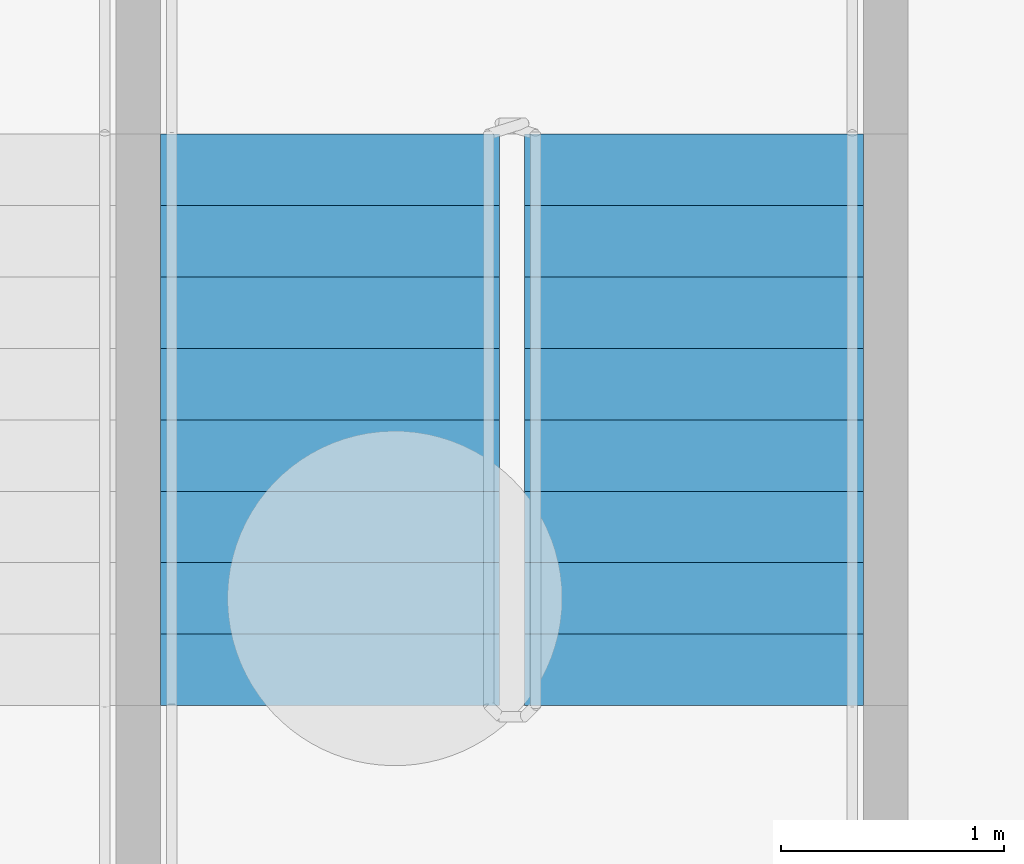
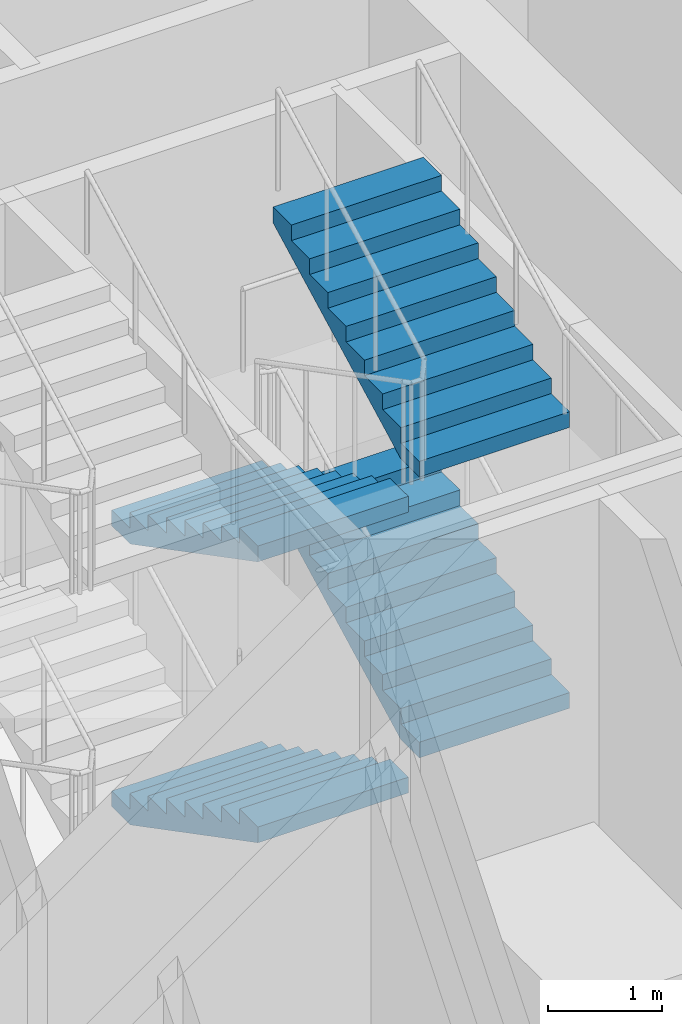
# One storey, part 17 of 26: 4 stair flights, 1 element without a shape of its own.
"""IFC4 building model written with IfcOpenShell, lengths in metres."""

from ifc_helpers import new_model, si_unit, direction, frame, origin, place, context, subcontext, project, spatial, polyline, outline, extrude, material, type_object, element, aggregate, save


model = new_model("IFC4")

# Units and contexts
model_context = context("Model", 3, precision=1e-05, world=origin(), true_north=direction((0.0, 1.0)))
body_context = subcontext(model_context, "Body", "Model", "MODEL_VIEW")
ifc_project = project(units=[si_unit("LENGTHUNIT", "METRE"), si_unit("AREAUNIT", "SQUARE_METRE"), si_unit("VOLUMEUNIT", "CUBIC_METRE"), si_unit("PLANEANGLEUNIT", "RADIAN"), si_unit("MASSUNIT", "GRAM", prefix="KILO")], contexts=[model_context])

# Site, building, storey
site_placement = place(None, origin())
site = spatial("IfcSite", under=ifc_project, at=site_placement, CompositionType="ELEMENT")
building_placement = place(site_placement, origin())
building = spatial("IfcBuilding", under=site, at=building_placement, Name="Tessera Arch", CompositionType="ELEMENT")
storey_placement = place(building_placement, frame((0.0, 0.0, -6.0)))
storey = spatial("IfcBuildingStorey", under=building, at=storey_placement, Name="B1", CompositionType="ELEMENT", Elevation=-6.0)

# Stair, stair flights
ifc_material_1 = material(Name="Concrete C40/50", Category="concrete")
stair_type = type_object("IfcStairType", Name="Dogleg stair 1520", PredefinedType="HALF_TURN_STAIR", material=ifc_material_1)
stair_placement = place(storey_placement, origin())
stair = element("IfcStair", 1, at=stair_placement, inside=storey, type_object=stair_type, Name="B1 S1c", PredefinedType="HALF_TURN_STAIR")
ifc_material_2 = material(Name="Concrete C40/50", Category="concrete")
stair_flight_type = type_object("IfcStairFlightType", Name="Stair flight 1520", PredefinedType="STRAIGHT", material=ifc_material_2)
stair_flight_1_placement = place(storey_placement, frame((44.159912109375, 43.580078125, 0.0), z_axis=(0.0, 0.0, 1.0), x_axis=(0.0, -1.0, 0.0)))
stair_flight_1 = element("IfcStairFlight", 2, at=stair_flight_1_placement, type_object=stair_flight_type, Name="S1c flight 1", NumberOfRisers=9, NumberOfTreads=8, PredefinedType="STRAIGHT", RiserHeight=0.166666667, TreadLength=0.32, context=body_context, shape_type="SweptSolid", body=[
    extrude(outline(polyline([(0.0, 0.0), (0.0, 0.166748046875), (0.320068359375, 0.166748046875), (0.320068359375, 0.333251953125), (0.639892578125, 0.333251953125), (0.639892578125, 0.5), (0.9599609375, 0.5), (0.9599609375, 0.666748046875), (1.280029296875, 0.666748046875), (1.280029296875, 0.833251953125), (1.60009765625, 0.833251953125), (1.60009765625, 1.0), (1.919921875, 1.0), (1.919921875, 1.166748046875), (2.239990234375, 1.166748046875), (2.239990234375, 1.333251953125), (2.56005859375, 1.333251953125), (2.56005859375, 1.5), (2.56005859375, 1.164306640625), (0.324462890625, 0.0), (0.0, 0.0)])), frame((0.0, 0.760009765625, 0.0), z_axis=(0.0, -1.0, 0.0), x_axis=(1.0, 0.0, 0.0)), (0.0, 0.0, 1.0), 1.52001953125),
])
stair_flight_2_placement = place(storey_placement, frame((45.7900390625, 41.02001953125, 1.5), z_axis=(0.0, 0.0, 1.0), x_axis=(0.0, 1.0, 0.0)))
stair_flight_2 = element("IfcStairFlight", 3, at=stair_flight_2_placement, type_object=stair_flight_type, Name="S1c flight 2", NumberOfRisers=9, NumberOfTreads=8, PredefinedType="STRAIGHT", RiserHeight=0.166666667, TreadLength=0.32, context=body_context, shape_type="SweptSolid", body=[
    extrude(outline(polyline([(0.0, 0.0), (0.0, 0.166748046875), (0.320068359375, 0.166748046875), (0.320068359375, 0.333251953125), (0.639892578125, 0.333251953125), (0.639892578125, 0.5), (0.9599609375, 0.5), (0.9599609375, 0.666748046875), (1.280029296875, 0.666748046875), (1.280029296875, 0.833251953125), (1.60009765625, 0.833251953125), (1.60009765625, 1.0), (1.919921875, 1.0), (1.919921875, 1.166748046875), (2.239990234375, 1.166748046875), (2.239990234375, 1.333251953125), (2.56005859375, 1.333251953125), (2.56005859375, 1.5), (2.56005859375, 1.164306640625), (0.324462890625, 0.0), (0.0, 0.0)])), frame((0.0, 0.760009765625, 0.0), z_axis=(0.0, -1.0, 0.0), x_axis=(1.0, 0.0, 0.0)), (0.0, 0.0, 1.0), 1.52001953125),
])
stair_flight_3_placement = place(storey_placement, frame((44.159912109375, 43.580078125, 3.0), z_axis=(0.0, 0.0, 1.0), x_axis=(0.0, -1.0, 0.0)))
stair_flight_3 = element("IfcStairFlight", 4, at=stair_flight_3_placement, type_object=stair_flight_type, Name="S1c flight 3", NumberOfRisers=9, NumberOfTreads=8, PredefinedType="STRAIGHT", RiserHeight=0.166666667, TreadLength=0.32, context=body_context, shape_type="SweptSolid", body=[
    extrude(outline(polyline([(0.0, 0.0), (0.0, 0.166748046875), (0.320068359375, 0.166748046875), (0.320068359375, 0.333251953125), (0.639892578125, 0.333251953125), (0.639892578125, 0.5), (0.9599609375, 0.5), (0.9599609375, 0.666748046875), (1.280029296875, 0.666748046875), (1.280029296875, 0.833251953125), (1.60009765625, 0.833251953125), (1.60009765625, 1.0), (1.919921875, 1.0), (1.919921875, 1.166748046875), (2.239990234375, 1.166748046875), (2.239990234375, 1.333251953125), (2.56005859375, 1.333251953125), (2.56005859375, 1.5), (2.56005859375, 1.164306640625), (0.324462890625, 0.0), (0.0, 0.0)])), frame((0.0, 0.760009765625, 0.0), z_axis=(0.0, -1.0, 0.0), x_axis=(1.0, 0.0, 0.0)), (0.0, 0.0, 1.0), 1.52001953125),
])
stair_flight_4_placement = place(storey_placement, frame((45.7900390625, 41.02001953125, 4.5), z_axis=(0.0, 0.0, 1.0), x_axis=(0.0, 1.0, 0.0)))
stair_flight_4 = element("IfcStairFlight", 5, at=stair_flight_4_placement, type_object=stair_flight_type, Name="S1c flight 4", NumberOfRisers=9, NumberOfTreads=8, PredefinedType="STRAIGHT", RiserHeight=0.166666667, TreadLength=0.32, context=body_context, shape_type="SweptSolid", body=[
    extrude(outline(polyline([(0.0, 0.0), (0.0, 0.166748046875), (0.320068359375, 0.166748046875), (0.320068359375, 0.333251953125), (0.639892578125, 0.333251953125), (0.639892578125, 0.5), (0.9599609375, 0.5), (0.9599609375, 0.666748046875), (1.280029296875, 0.666748046875), (1.280029296875, 0.833251953125), (1.60009765625, 0.833251953125), (1.60009765625, 1.0), (1.919921875, 1.0), (1.919921875, 1.166748046875), (2.239990234375, 1.166748046875), (2.239990234375, 1.333251953125), (2.56005859375, 1.333251953125), (2.56005859375, 1.5), (2.56005859375, 1.164306640625), (0.324462890625, 0.0), (0.0, 0.0)])), frame((0.0, 0.760009765625, 0.0), z_axis=(0.0, -1.0, 0.0), x_axis=(1.0, 0.0, 0.0)), (0.0, 0.0, 1.0), 1.52001953125),
])
aggregate(stair, [stair_flight_1, stair_flight_2, stair_flight_3, stair_flight_4])

save(model, "model.ifc")
